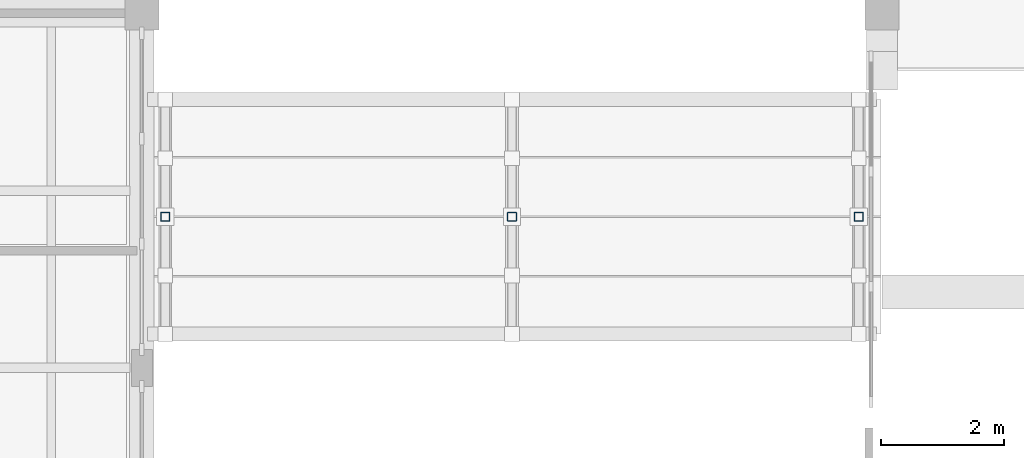
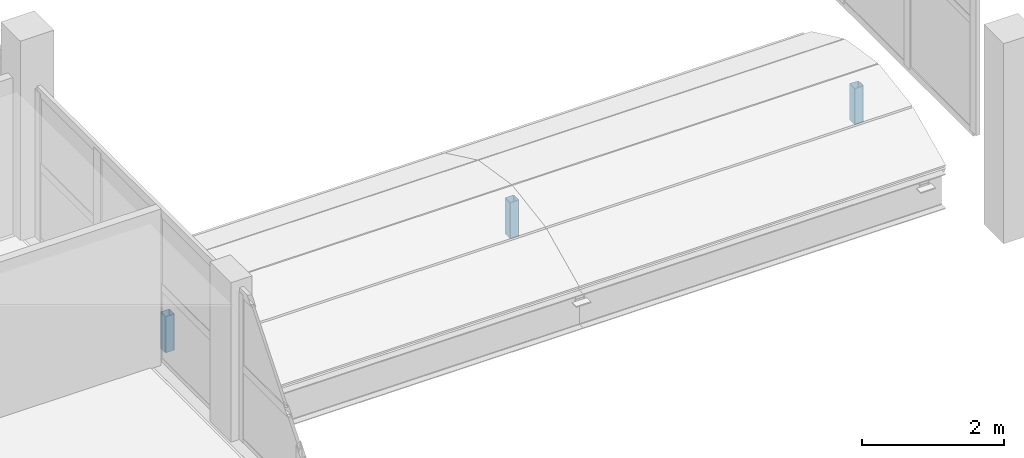
# One storey, part 22 of 48: 3 members.
"""IFC4 building model written with IfcOpenShell, lengths in metres."""

from ifc_helpers import new_model, si_unit, direction, frame, origin, origin_2d, place, context, subcontext, project, spatial, hollow_rectangle, extrude, material, material_profile, profile_set, type_object, element, save


model = new_model("IFC4")

# Units and contexts
model_context = context("Model", 3, precision=1e-05, world=origin(), true_north=direction((0.0, 1.0)))
body_context = subcontext(model_context, "Body", "Model", "MODEL_VIEW")
ifc_project = project(units=[si_unit("LENGTHUNIT", "METRE"), si_unit("AREAUNIT", "SQUARE_METRE"), si_unit("VOLUMEUNIT", "CUBIC_METRE"), si_unit("PLANEANGLEUNIT", "RADIAN"), si_unit("MASSUNIT", "GRAM", prefix="KILO")], contexts=[model_context])

# Site, building, storey
site_placement = place(None, origin())
site = spatial("IfcSite", under=ifc_project, at=site_placement, CompositionType="ELEMENT")
building_placement = place(site_placement, origin())
building = spatial("IfcBuilding", under=site, at=building_placement, Name="Trellovar Central Fire Station", CompositionType="ELEMENT")
storey_placement = place(building_placement, frame((0.0, 0.0, 9.300048828125)))
storey = spatial("IfcBuildingStorey", under=building, at=storey_placement, Name="L03", CompositionType="ELEMENT", Elevation=9.300048828125)

# Members
ifc_material = material(Name="Steel ASTM A500 Grade C", Category="steel")
ifc_material_profile = material_profile(ifc_material, hollow_rectangle(XDim=0.15234375, YDim=0.15234375, WallThickness=0.0087890625, InnerFilletRadius=0.0087890625, OuterFilletRadius=0.017822265625, at=origin_2d()), Name="HSS6X6X3/8")
ifc_profile_set = profile_set([ifc_material_profile], Name="Steel ASTM A500 Grade C")
member_type = type_object("IfcMemberType", Name="MEM-ST1", PredefinedType="STRUT", material=ifc_profile_set)
for number, where, z_axis, x_axis, name in (
    (1, (23.3798828125, 25.699951171875, -0.25), (0.0, 0.0, 1.0), (1.0, 0.0, 0.0), "Cloister bridge vault apex post X=23.4"),
    (2, (29.0, 25.699951171875, -0.25), (0.0, 0.0, 1.0), (1.0, 0.0, 0.0), "Cloister bridge vault apex post X=29.0"),
    (3, (34.6201171875, 25.699951171875, -0.25), (0.0, 0.0, 1.0), (1.0, 0.0, 0.0), "Cloister bridge vault apex post X=34.6"),
):
    element("IfcMember", number, at=place(storey_placement, frame(where, z_axis=z_axis, x_axis=x_axis)), inside=storey, type_object=member_type, Name=name, PredefinedType="STRUT", context=body_context, shape_type="SweptSolid", body=[
        extrude(hollow_rectangle(XDim=0.15234375, YDim=0.15234375, WallThickness=0.0087890625, InnerFilletRadius=0.0087890625, OuterFilletRadius=0.017822265625, at=origin_2d()), origin(), (0.0, 0.0, 1.0), 0.619873046875),
    ])

save(model, "model.ifc")
